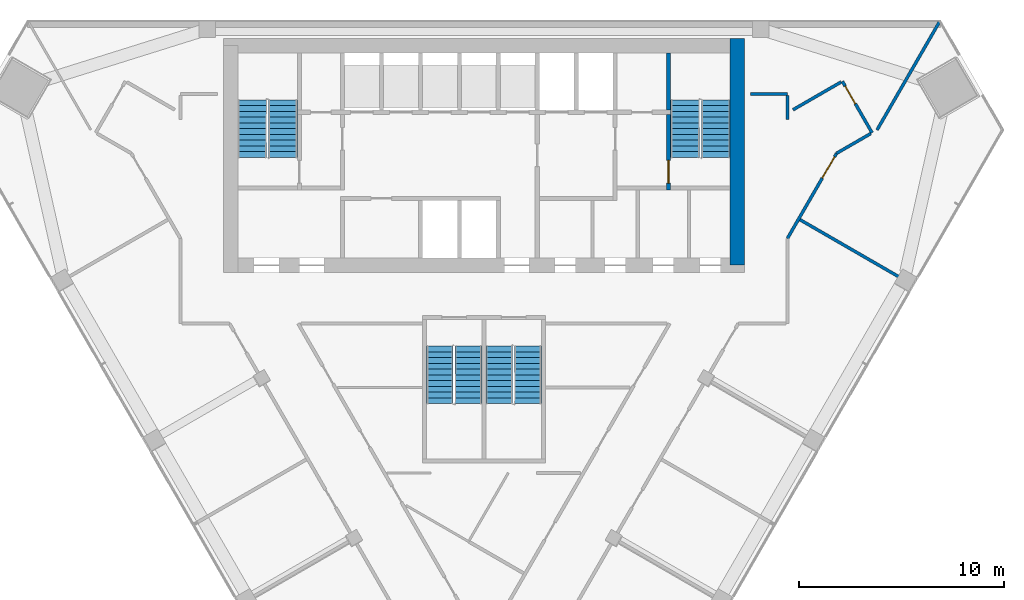
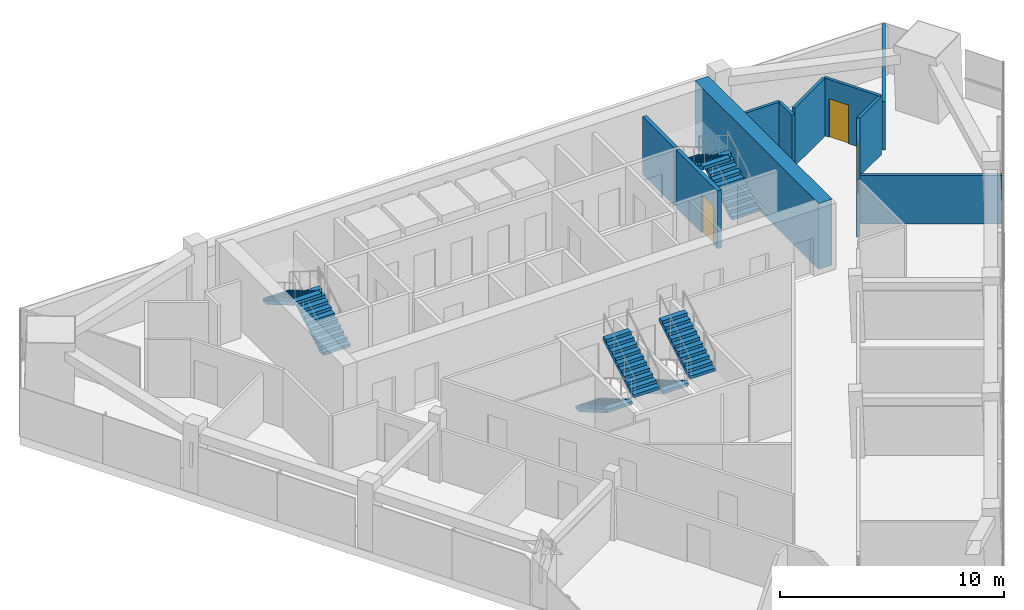
# One storey, part 10 of 12: 11 walls, 8 stair flights, 3 doors, 3 openings, 4 elements without a shape of their own.
"""IFC4 building model written with IfcOpenShell, lengths in metres."""

from ifc_helpers import new_model, si_unit, direction, frame, frame_2d, origin, place, context, subcontext, project, spatial, polyline, rectangle, outline, extrude, material, layer, layer_set, type_object, element, fill, aggregate, save


model = new_model("IFC4")

# Units and contexts
model_context = context("Model", 3, precision=1e-05, world=origin(), true_north=direction((0.0, 1.0)))
body_context = subcontext(model_context, "Body", "Model", "MODEL_VIEW")
ifc_project = project(units=[si_unit("LENGTHUNIT", "METRE"), si_unit("AREAUNIT", "SQUARE_METRE"), si_unit("VOLUMEUNIT", "CUBIC_METRE"), si_unit("PLANEANGLEUNIT", "RADIAN"), si_unit("MASSUNIT", "GRAM", prefix="KILO")], contexts=[model_context])

# Site, building, storey
site_placement = place(None, origin())
site = spatial("IfcSite", under=ifc_project, at=site_placement, CompositionType="ELEMENT")
building_placement = place(site_placement, origin())
building = spatial("IfcBuilding", under=site, at=building_placement, Name="Altiplano Prism Tower", CompositionType="ELEMENT")
storey_placement = place(building_placement, frame((0.0, 0.0, 205.199951171875)))
storey = spatial("IfcBuildingStorey", under=building, at=storey_placement, Name="L53", CompositionType="ELEMENT", Elevation=205.199951171875)

# Wall
ifc_material_1 = material(Name="Concrete C60/75", Category="concrete")
ifc_layer_1 = layer(ifc_material_1, 0.699951171875)
ifc_layer_set_1 = layer_set([ifc_layer_1], Name="Concrete C60/75")
wall_type_1 = type_object("IfcWallType", Name="Core wall 700", PredefinedType="SHEAR", material=ifc_layer_set_1)
wall_1_placement = place(storey_placement, frame((97.35009765625, 93.050048828125, 0.0), z_axis=(0.0, 0.0, 1.0), x_axis=(0.0, 1.0, 0.0)))
element("IfcWall", 1, at=wall_1_placement, inside=storey, type_object=wall_type_1, Name="Core wall E L53", PredefinedType="SHEAR", context=body_context, shape_type="SweptSolid", body=[
    extrude(rectangle(XDim=11.050048828125, YDim=0.699951171875, at=frame_2d((5.52490234375, 0.0))), origin(), (0.0, 0.0, 1.0), 3.60009765625),
])

# Wall, opening, door
ifc_material_2 = material(Name="Plasterboard on steel stud", Category="steel")
ifc_layer_2 = layer(ifc_material_2, 0.14990234375)
ifc_layer_set_2 = layer_set([ifc_layer_2], Name="Plasterboard on steel stud")
wall_type_2 = type_object("IfcWallType", Name="Partition 150 corridor", PredefinedType="PARTITIONING", material=ifc_layer_set_2)
wall_2_placement = place(storey_placement, frame((99.800048828125, 94.350341796875, 0.0), z_axis=(0.0, 0.0, 1.0), x_axis=(0.499991496398, 0.866030313286, 0.0)))
wall_2 = element("IfcWall", 2, at=wall_2_placement, inside=storey, type_object=wall_type_2, Name="Partition P06 L53 010", PredefinedType="PARTITIONING", context=body_context, shape_type="SweptSolid", body=[
    extrude(rectangle(XDim=4.79150390625, YDim=0.14990234375, at=frame_2d((2.395751953125, 0.0))), origin(), (0.0, 0.0, 1.0), 3.150146484375),
])
opening_1_placement = place(wall_2_placement, frame((3.39208984375, 0.0, 0.0)))
opening_1 = element("IfcOpeningElement", 3, at=opening_1_placement, cuts=wall_2, Name="Opening D1843", PredefinedType="OPENING", context=body_context, shape_type="SweptSolid", body=[
    extrude(rectangle(XDim=1.199951171875, YDim=2.10009765625, at=frame_2d((0.60009765625, 1.050048828125))), frame((0.0, 0.08544921875, 0.0), z_axis=(0.0, -1.0, 0.0), x_axis=(1.0, 0.0, 0.0)), (0.0, 0.0, 1.0), 0.1708984375),
])
ifc_material_3 = material(Name="Timber", Category="wood")
door_type_1 = type_object("IfcDoorType", Name="Shared room door 1200 x 2100", OperationType="NOTDEFINED", PredefinedType="NOTDEFINED", material=ifc_material_3)
door_1_placement = place(opening_1_placement, origin())
door_1 = element("IfcDoor", 4, at=door_1_placement, inside=storey, type_object=door_type_1, Name="Door D1843", OperationType="SINGLE_SWING_RIGHT", OverallHeight=2.10009765625, OverallWidth=1.199951171875, PredefinedType="NOTDEFINED", context=body_context, shape_type="SweptSolid", body=[
    extrude(rectangle(XDim=1.199951171875, YDim=2.10009765625, at=frame_2d((0.60009765625, 1.050048828125))), frame((0.0, 0.02490234375, 0.0), z_axis=(0.0, -1.0, 0.0), x_axis=(1.0, 0.0, 0.0)), (0.0, 0.0, 1.0), 0.050048828125),
])
fill(opening_1, door_1)

# Wall
wall_3_placement = place(storey_placement, frame((102.19580078125, 98.5, 0.0), z_axis=(0.0, 0.0, 1.0), x_axis=(0.866033512162, 0.499985955615, 0.0)))
element("IfcWall", 5, at=wall_3_placement, inside=storey, type_object=wall_type_2, Name="Partition P06 L53 011", PredefinedType="PARTITIONING", context=body_context, shape_type="SweptSolid", body=[
    extrude(rectangle(XDim=1.9248046875, YDim=0.14990234375, at=frame_2d((0.96240234375, 0.0))), origin(), (0.0, 0.0, 1.0), 3.150146484375),
])

# Wall, opening, door
wall_4_placement = place(storey_placement, frame((103.927734375, 99.5, 0.0), z_axis=(0.0, 0.0, 1.0), x_axis=(-0.499987231761, 0.866032775405, 0.0)))
wall_4 = element("IfcWall", 6, at=wall_4_placement, inside=storey, type_object=wall_type_2, Name="Partition P06 L53 016", PredefinedType="PARTITIONING", context=body_context, shape_type="SweptSolid", body=[
    extrude(rectangle(XDim=2.89990234375, YDim=0.14990234375, at=frame_2d((1.449951171875, 0.0))), origin(), (0.0, 0.0, 1.0), 3.150146484375),
])
opening_2_placement = place(wall_4_placement, frame((1.631103515625, 0.0, 0.0)))
opening_2 = element("IfcOpeningElement", 7, at=opening_2_placement, cuts=wall_4, Name="Opening D1845", PredefinedType="OPENING", context=body_context, shape_type="SweptSolid", body=[
    extrude(rectangle(XDim=1.0, YDim=2.10009765625, at=frame_2d((0.5, 1.050048828125))), frame((0.0, 0.08544921875, 0.0), z_axis=(0.0, -1.0, 0.0), x_axis=(1.0, 0.0, 0.0)), (0.0, 0.0, 1.0), 0.1708984375),
])
door_type_2 = type_object("IfcDoorType", Name="Store door 1000 x 2100", OperationType="NOTDEFINED", PredefinedType="NOTDEFINED", material=ifc_material_3)
door_2_placement = place(opening_2_placement, origin())
door_2 = element("IfcDoor", 8, at=door_2_placement, inside=storey, type_object=door_type_2, Name="Door D1845", OperationType="SINGLE_SWING_LEFT", OverallHeight=2.10009765625, OverallWidth=1.0, PredefinedType="NOTDEFINED", context=body_context, shape_type="SweptSolid", body=[
    extrude(rectangle(XDim=1.0, YDim=2.10009765625, at=frame_2d((0.5, 1.050048828125))), frame((0.0, 0.02490234375, 0.0), z_axis=(0.0, -1.0, 0.0), x_axis=(1.0, 0.0, 0.0)), (0.0, 0.0, 1.0), 0.050048828125),
])
fill(opening_2, door_2)

# Walls
wall_5_placement = place(storey_placement, frame((102.412841796875, 101.973876953125, 0.0), z_axis=(0.0, 0.0, 1.0), x_axis=(-0.866060705498, -0.499938850654, 0.0)))
element("IfcWall", 9, at=wall_5_placement, inside=storey, type_object=wall_type_2, Name="Partition P06 L53 017", PredefinedType="PARTITIONING", context=body_context, shape_type="SweptSolid", body=[
    extrude(rectangle(XDim=2.701904296875, YDim=0.14990234375, at=frame_2d((1.35107421875, 0.0))), origin(), (0.0, 0.0, 1.0), 3.150146484375),
])
wall_6_placement = place(storey_placement, frame((99.800048828125, 100.150390625, 0.0), z_axis=(0.0, 0.0, 1.0), x_axis=(0.0, 1.0, 0.0)))
element("IfcWall", 10, at=wall_6_placement, inside=storey, type_object=wall_type_2, Name="Partition P06 L53 018", PredefinedType="PARTITIONING", context=body_context, shape_type="SweptSolid", body=[
    extrude(rectangle(XDim=1.174560546875, YDim=0.14990234375, at=frame_2d((0.58740234375, 0.0))), origin(), (0.0, 0.0, 1.0), 3.150146484375),
])
wall_7_placement = place(storey_placement, frame((99.800048828125, 101.39990234375, 0.0), z_axis=(0.0, 0.0, 1.0), x_axis=(-1.0, 0.0, 0.0)))
element("IfcWall", 11, at=wall_7_placement, inside=storey, type_object=wall_type_2, Name="Partition P06 L53 019", PredefinedType="PARTITIONING", context=body_context, shape_type="SweptSolid", body=[
    extrude(rectangle(XDim=1.800048828125, YDim=0.14990234375, at=frame_2d((0.89990234375, 0.0))), origin(), (0.0, 0.0, 1.0), 3.150146484375),
])
ifc_layer_3 = layer(ifc_material_2, 0.14990234375)
ifc_layer_set_3 = layer_set([ifc_layer_3], Name="Plasterboard on steel stud")
wall_type_3 = type_object("IfcWallType", Name="Partition 150 party", PredefinedType="PARTITIONING", material=ifc_layer_set_3)
wall_8_placement = place(storey_placement, frame((105.890380859375, 92.099365234375, 0.0), z_axis=(0.0, 0.0, 1.0), x_axis=(-0.866015887322, 0.500016482634, 0.0)))
element("IfcWall", 12, at=wall_8_placement, inside=storey, type_object=wall_type_3, Name="Partition P01 L53 041", PredefinedType="PARTITIONING", context=body_context, shape_type="SweptSolid", body=[
    extrude(rectangle(XDim=6.324951171875, YDim=0.14990234375, at=frame_2d((3.16259765625, 0.0))), origin(), (0.0, 0.0, 1.0), 2.650146484375),
])
wall_9_placement = place(storey_placement, frame((107.206298828125, 104.89990234375, 0.0), z_axis=(0.0, 0.0, 1.0), x_axis=(-0.499994988479, -0.866028297168, 0.0)))
element("IfcWall", 13, at=wall_9_placement, inside=storey, type_object=wall_type_3, Name="Partition P01 L53 042", PredefinedType="PARTITIONING", context=body_context, shape_type="SweptSolid", body=[
    extrude(rectangle(XDim=6.07421875, YDim=0.14990234375, at=frame_2d((3.037109375, 0.0))), origin(), (0.0, 0.0, 1.0), 2.650146484375),
])

# Wall, opening, door
ifc_layer_4 = layer(ifc_material_1, 0.199951171875)
ifc_layer_set_4 = layer_set([ifc_layer_4], Name="Concrete C60/75")
wall_type_4 = type_object("IfcWallType", Name="Stair wall 200", PredefinedType="SOLIDWALL", material=ifc_layer_set_4)
wall_10_placement = place(storey_placement, frame((94.0, 96.699951171875, 0.0), z_axis=(0.0, 0.0, 1.0), x_axis=(0.0, 1.0, 0.0)))
wall_10 = element("IfcWall", 14, at=wall_10_placement, inside=storey, type_object=wall_type_4, Name="Stair wall L53", PredefinedType="SOLIDWALL", context=body_context, shape_type="SweptSolid", body=[
    extrude(rectangle(XDim=3.699951171875, YDim=0.199951171875, at=frame_2d((1.85009765625, 0.0))), origin(), (0.0, 0.0, 1.0), 3.150146484375),
])
opening_3_placement = place(wall_10_placement, frame((0.35009765625, 0.0, 0.0)))
opening_3 = element("IfcOpeningElement", 15, at=opening_3_placement, cuts=wall_10, Name="Opening D3313", PredefinedType="OPENING", context=body_context, shape_type="SweptSolid", body=[
    extrude(rectangle(XDim=1.10009765625, YDim=2.10009765625, at=frame_2d((0.550048828125, 1.050048828125))), frame((0.0, 0.1103515625, 0.0), z_axis=(0.0, -1.0, 0.0), x_axis=(1.0, 0.0, 0.0)), (0.0, 0.0, 1.0), 0.220947265625),
])
ifc_material_4 = material(Name="Fire-rated steel door", Category="steel")
door_type_3 = type_object("IfcDoorType", Name="Stair fire door 1100 x 2100", OperationType="NOTDEFINED", PredefinedType="NOTDEFINED", material=ifc_material_4)
door_3_placement = place(opening_3_placement, origin())
door_3 = element("IfcDoor", 16, at=door_3_placement, inside=storey, type_object=door_type_3, Name="Stair fire door D3313", OperationType="SINGLE_SWING_LEFT", OverallHeight=2.10009765625, OverallWidth=1.10009765625, PredefinedType="NOTDEFINED", context=body_context, shape_type="SweptSolid", body=[
    extrude(rectangle(XDim=1.10009765625, YDim=2.10009765625, at=frame_2d((0.550048828125, 1.050048828125))), frame((0.0, 0.02490234375, 0.0), z_axis=(0.0, -1.0, 0.0), x_axis=(1.0, 0.0, 0.0)), (0.0, 0.0, 1.0), 0.050048828125),
])
fill(opening_3, door_3)

# Wall
wall_11_placement = place(storey_placement, frame((94.0, 100.60009765625, 0.0), z_axis=(0.0, 0.0, 1.0), x_axis=(0.0, 1.0, 0.0)))
element("IfcWall", 17, at=wall_11_placement, inside=storey, type_object=wall_type_4, Name="Stair wall L53", PredefinedType="SOLIDWALL", context=body_context, shape_type="SweptSolid", body=[
    extrude(rectangle(XDim=2.7998046875, YDim=0.199951171875, at=frame_2d((1.39990234375, 0.0))), origin(), (0.0, 0.0, 1.0), 3.150146484375),
])

# Stair, stair flights
ifc_material_5 = material(Name="Concrete C40/50", Category="concrete")
stair_type_1 = type_object("IfcStairType", Name="Exit stair 1400", PredefinedType="HALF_TURN_STAIR", material=ifc_material_5)
stair_1_placement = place(storey_placement, origin())
stair_1 = element("IfcStair", 18, at=stair_1_placement, inside=storey, type_object=stair_type_1, Name="L53 Exit Stair 1", PredefinedType="HALF_TURN_STAIR")
stair_flight_type = type_object("IfcStairFlightType", Name="Stair flight concrete 150", PredefinedType="STRAIGHT", material=ifc_material_5)
stair_flight_1_placement = place(storey_placement, frame((75.199951171875, 98.300048828125, 0.0), z_axis=(0.0, 0.0, 1.0), x_axis=(0.0, 1.0, 0.0)))
stair_flight_1 = element("IfcStairFlight", 19, at=stair_flight_1_placement, type_object=stair_flight_type, Name="ST1 flight 1", NumberOfRisers=11, NumberOfTreads=10, PredefinedType="STRAIGHT", RiserHeight=0.163636364, TreadLength=0.28, context=body_context, shape_type="SweptSolid", body=[
    extrude(outline(polyline([(0.0, 0.0), (0.0, 0.16357421875), (0.280029296875, 0.16357421875), (0.280029296875, 0.327392578125), (0.56005859375, 0.327392578125), (0.56005859375, 0.490966796875), (0.840087890625, 0.490966796875), (0.840087890625, 0.654541015625), (1.1201171875, 0.654541015625), (1.1201171875, 0.818115234375), (1.39990234375, 0.818115234375), (1.39990234375, 0.98193359375), (1.679931640625, 0.98193359375), (1.679931640625, 1.1455078125), (1.9599609375, 1.1455078125), (1.9599609375, 1.30908203125), (2.239990234375, 1.30908203125), (2.239990234375, 1.47265625), (2.52001953125, 1.47265625), (2.52001953125, 1.636474609375), (2.800048828125, 1.636474609375), (2.800048828125, 1.800048828125), (2.800048828125, 1.462646484375), (0.297119140625, 0.0), (0.0, 0.0)])), frame((0.0, 0.699951171875, 0.0), z_axis=(0.0, -1.0, 0.0), x_axis=(1.0, 0.0, 0.0)), (0.0, 0.0, 1.0), 1.39990234375),
])
stair_flight_2_placement = place(storey_placement, frame((73.699951171875, 101.10009765625, 1.800048828125), z_axis=(0.0, 0.0, 1.0), x_axis=(0.0, -1.0, 0.0)))
stair_flight_2 = element("IfcStairFlight", 20, at=stair_flight_2_placement, type_object=stair_flight_type, Name="ST1 flight 2", NumberOfRisers=11, NumberOfTreads=10, PredefinedType="STRAIGHT", RiserHeight=0.163636364, TreadLength=0.28, context=body_context, shape_type="SweptSolid", body=[
    extrude(outline(polyline([(0.0, 0.0), (0.0, 0.16357421875), (0.280029296875, 0.16357421875), (0.280029296875, 0.327392578125), (0.56005859375, 0.327392578125), (0.56005859375, 0.490966796875), (0.840087890625, 0.490966796875), (0.840087890625, 0.654541015625), (1.1201171875, 0.654541015625), (1.1201171875, 0.818115234375), (1.39990234375, 0.818115234375), (1.39990234375, 0.98193359375), (1.679931640625, 0.98193359375), (1.679931640625, 1.1455078125), (1.9599609375, 1.1455078125), (1.9599609375, 1.30908203125), (2.239990234375, 1.30908203125), (2.239990234375, 1.47265625), (2.52001953125, 1.47265625), (2.52001953125, 1.636474609375), (2.800048828125, 1.636474609375), (2.800048828125, 1.800048828125), (2.800048828125, 1.462646484375), (0.297119140625, 0.0), (0.0, 0.0)])), frame((0.0, 0.699951171875, 0.0), z_axis=(0.0, -1.0, 0.0), x_axis=(1.0, 0.0, 0.0)), (0.0, 0.0, 1.0), 1.39990234375),
])
aggregate(stair_1, [stair_flight_1, stair_flight_2])

stair_2_placement = place(storey_placement, origin())
stair_2 = element("IfcStair", 21, at=stair_2_placement, inside=storey, type_object=stair_type_1, Name="L53 Exit Stair 2", PredefinedType="HALF_TURN_STAIR")
stair_flight_3_placement = place(storey_placement, frame((96.300048828125, 98.300048828125, 0.0), z_axis=(0.0, 0.0, 1.0), x_axis=(0.0, 1.0, 0.0)))
stair_flight_3 = element("IfcStairFlight", 22, at=stair_flight_3_placement, type_object=stair_flight_type, Name="ST2 flight 1", NumberOfRisers=11, NumberOfTreads=10, PredefinedType="STRAIGHT", RiserHeight=0.163636364, TreadLength=0.28, context=body_context, shape_type="SweptSolid", body=[
    extrude(outline(polyline([(0.0, 0.0), (0.0, 0.16357421875), (0.280029296875, 0.16357421875), (0.280029296875, 0.327392578125), (0.56005859375, 0.327392578125), (0.56005859375, 0.490966796875), (0.840087890625, 0.490966796875), (0.840087890625, 0.654541015625), (1.1201171875, 0.654541015625), (1.1201171875, 0.818115234375), (1.39990234375, 0.818115234375), (1.39990234375, 0.98193359375), (1.679931640625, 0.98193359375), (1.679931640625, 1.1455078125), (1.9599609375, 1.1455078125), (1.9599609375, 1.30908203125), (2.239990234375, 1.30908203125), (2.239990234375, 1.47265625), (2.52001953125, 1.47265625), (2.52001953125, 1.636474609375), (2.800048828125, 1.636474609375), (2.800048828125, 1.800048828125), (2.800048828125, 1.462646484375), (0.297119140625, 0.0), (0.0, 0.0)])), frame((0.0, 0.699951171875, 0.0), z_axis=(0.0, -1.0, 0.0), x_axis=(1.0, 0.0, 0.0)), (0.0, 0.0, 1.0), 1.39990234375),
])
stair_flight_4_placement = place(storey_placement, frame((94.800048828125, 101.10009765625, 1.800048828125), z_axis=(0.0, 0.0, 1.0), x_axis=(0.0, -1.0, 0.0)))
stair_flight_4 = element("IfcStairFlight", 23, at=stair_flight_4_placement, type_object=stair_flight_type, Name="ST2 flight 2", NumberOfRisers=11, NumberOfTreads=10, PredefinedType="STRAIGHT", RiserHeight=0.163636364, TreadLength=0.28, context=body_context, shape_type="SweptSolid", body=[
    extrude(outline(polyline([(0.0, 0.0), (0.0, 0.16357421875), (0.280029296875, 0.16357421875), (0.280029296875, 0.327392578125), (0.56005859375, 0.327392578125), (0.56005859375, 0.490966796875), (0.840087890625, 0.490966796875), (0.840087890625, 0.654541015625), (1.1201171875, 0.654541015625), (1.1201171875, 0.818115234375), (1.39990234375, 0.818115234375), (1.39990234375, 0.98193359375), (1.679931640625, 0.98193359375), (1.679931640625, 1.1455078125), (1.9599609375, 1.1455078125), (1.9599609375, 1.30908203125), (2.239990234375, 1.30908203125), (2.239990234375, 1.47265625), (2.52001953125, 1.47265625), (2.52001953125, 1.636474609375), (2.800048828125, 1.636474609375), (2.800048828125, 1.800048828125), (2.800048828125, 1.462646484375), (0.297119140625, 0.0), (0.0, 0.0)])), frame((0.0, 0.699951171875, 0.0), z_axis=(0.0, -1.0, 0.0), x_axis=(1.0, 0.0, 0.0)), (0.0, 0.0, 1.0), 1.39990234375),
])
aggregate(stair_2, [stair_flight_3, stair_flight_4])

stair_type_2 = type_object("IfcStairType", Name="Exit stair 1300", PredefinedType="HALF_TURN_STAIR", material=ifc_material_5)
stair_3_placement = place(storey_placement, origin())
stair_3 = element("IfcStair", 24, at=stair_3_placement, inside=storey, type_object=stair_type_2, Name="L53 Exit Stair 3A", PredefinedType="HALF_TURN_STAIR")
stair_flight_5_placement = place(storey_placement, frame((82.85009765625, 89.10009765625, 0.0), z_axis=(0.0, 0.0, 1.0), x_axis=(0.0, -1.0, 0.0)))
stair_flight_5 = element("IfcStairFlight", 25, at=stair_flight_5_placement, type_object=stair_flight_type, Name="ST3A flight 1", NumberOfRisers=11, NumberOfTreads=10, PredefinedType="STRAIGHT", RiserHeight=0.163636364, TreadLength=0.28, context=body_context, shape_type="SweptSolid", body=[
    extrude(outline(polyline([(0.0, 0.0), (0.0, 0.16357421875), (0.280029296875, 0.16357421875), (0.280029296875, 0.327392578125), (0.56005859375, 0.327392578125), (0.56005859375, 0.490966796875), (0.840087890625, 0.490966796875), (0.840087890625, 0.654541015625), (1.1201171875, 0.654541015625), (1.1201171875, 0.818115234375), (1.39990234375, 0.818115234375), (1.39990234375, 0.98193359375), (1.679931640625, 0.98193359375), (1.679931640625, 1.1455078125), (1.9599609375, 1.1455078125), (1.9599609375, 1.30908203125), (2.239990234375, 1.30908203125), (2.239990234375, 1.47265625), (2.52001953125, 1.47265625), (2.52001953125, 1.636474609375), (2.800048828125, 1.636474609375), (2.800048828125, 1.800048828125), (2.800048828125, 1.462646484375), (0.297119140625, 0.0), (0.0, 0.0)])), frame((0.0, 0.64990234375, 0.0), z_axis=(0.0, -1.0, 0.0), x_axis=(1.0, 0.0, 0.0)), (0.0, 0.0, 1.0), 1.300048828125),
])
stair_flight_6_placement = place(storey_placement, frame((84.25, 86.300048828125, 1.800048828125), z_axis=(0.0, 0.0, 1.0), x_axis=(0.0, 1.0, 0.0)))
stair_flight_6 = element("IfcStairFlight", 26, at=stair_flight_6_placement, type_object=stair_flight_type, Name="ST3A flight 2", NumberOfRisers=11, NumberOfTreads=10, PredefinedType="STRAIGHT", RiserHeight=0.163636364, TreadLength=0.28, context=body_context, shape_type="SweptSolid", body=[
    extrude(outline(polyline([(0.0, 0.0), (0.0, 0.16357421875), (0.280029296875, 0.16357421875), (0.280029296875, 0.327392578125), (0.56005859375, 0.327392578125), (0.56005859375, 0.490966796875), (0.840087890625, 0.490966796875), (0.840087890625, 0.654541015625), (1.1201171875, 0.654541015625), (1.1201171875, 0.818115234375), (1.39990234375, 0.818115234375), (1.39990234375, 0.98193359375), (1.679931640625, 0.98193359375), (1.679931640625, 1.1455078125), (1.9599609375, 1.1455078125), (1.9599609375, 1.30908203125), (2.239990234375, 1.30908203125), (2.239990234375, 1.47265625), (2.52001953125, 1.47265625), (2.52001953125, 1.636474609375), (2.800048828125, 1.636474609375), (2.800048828125, 1.800048828125), (2.800048828125, 1.462646484375), (0.297119140625, 0.0), (0.0, 0.0)])), frame((0.0, 0.64990234375, 0.0), z_axis=(0.0, -1.0, 0.0), x_axis=(1.0, 0.0, 0.0)), (0.0, 0.0, 1.0), 1.300048828125),
])
aggregate(stair_3, [stair_flight_5, stair_flight_6])

stair_4_placement = place(storey_placement, origin())
stair_4 = element("IfcStair", 27, at=stair_4_placement, inside=storey, type_object=stair_type_2, Name="L53 Exit Stair 3B", PredefinedType="HALF_TURN_STAIR")
stair_flight_7_placement = place(storey_placement, frame((85.75, 89.10009765625, 0.0), z_axis=(0.0, 0.0, 1.0), x_axis=(0.0, -1.0, 0.0)))
stair_flight_7 = element("IfcStairFlight", 28, at=stair_flight_7_placement, type_object=stair_flight_type, Name="ST3B flight 1", NumberOfRisers=11, NumberOfTreads=10, PredefinedType="STRAIGHT", RiserHeight=0.163636364, TreadLength=0.28, context=body_context, shape_type="SweptSolid", body=[
    extrude(outline(polyline([(0.0, 0.0), (0.0, 0.16357421875), (0.280029296875, 0.16357421875), (0.280029296875, 0.327392578125), (0.56005859375, 0.327392578125), (0.56005859375, 0.490966796875), (0.840087890625, 0.490966796875), (0.840087890625, 0.654541015625), (1.1201171875, 0.654541015625), (1.1201171875, 0.818115234375), (1.39990234375, 0.818115234375), (1.39990234375, 0.98193359375), (1.679931640625, 0.98193359375), (1.679931640625, 1.1455078125), (1.9599609375, 1.1455078125), (1.9599609375, 1.30908203125), (2.239990234375, 1.30908203125), (2.239990234375, 1.47265625), (2.52001953125, 1.47265625), (2.52001953125, 1.636474609375), (2.800048828125, 1.636474609375), (2.800048828125, 1.800048828125), (2.800048828125, 1.462646484375), (0.297119140625, 0.0), (0.0, 0.0)])), frame((0.0, 0.64990234375, 0.0), z_axis=(0.0, -1.0, 0.0), x_axis=(1.0, 0.0, 0.0)), (0.0, 0.0, 1.0), 1.300048828125),
])
stair_flight_8_placement = place(storey_placement, frame((87.14990234375, 86.300048828125, 1.800048828125), z_axis=(0.0, 0.0, 1.0), x_axis=(0.0, 1.0, 0.0)))
stair_flight_8 = element("IfcStairFlight", 29, at=stair_flight_8_placement, type_object=stair_flight_type, Name="ST3B flight 2", NumberOfRisers=11, NumberOfTreads=10, PredefinedType="STRAIGHT", RiserHeight=0.163636364, TreadLength=0.28, context=body_context, shape_type="SweptSolid", body=[
    extrude(outline(polyline([(0.0, 0.0), (0.0, 0.16357421875), (0.280029296875, 0.16357421875), (0.280029296875, 0.327392578125), (0.56005859375, 0.327392578125), (0.56005859375, 0.490966796875), (0.840087890625, 0.490966796875), (0.840087890625, 0.654541015625), (1.1201171875, 0.654541015625), (1.1201171875, 0.818115234375), (1.39990234375, 0.818115234375), (1.39990234375, 0.98193359375), (1.679931640625, 0.98193359375), (1.679931640625, 1.1455078125), (1.9599609375, 1.1455078125), (1.9599609375, 1.30908203125), (2.239990234375, 1.30908203125), (2.239990234375, 1.47265625), (2.52001953125, 1.47265625), (2.52001953125, 1.636474609375), (2.800048828125, 1.636474609375), (2.800048828125, 1.800048828125), (2.800048828125, 1.462646484375), (0.297119140625, 0.0), (0.0, 0.0)])), frame((0.0, 0.64990234375, 0.0), z_axis=(0.0, -1.0, 0.0), x_axis=(1.0, 0.0, 0.0)), (0.0, 0.0, 1.0), 1.300048828125),
])
aggregate(stair_4, [stair_flight_7, stair_flight_8])

save(model, "model.ifc")
